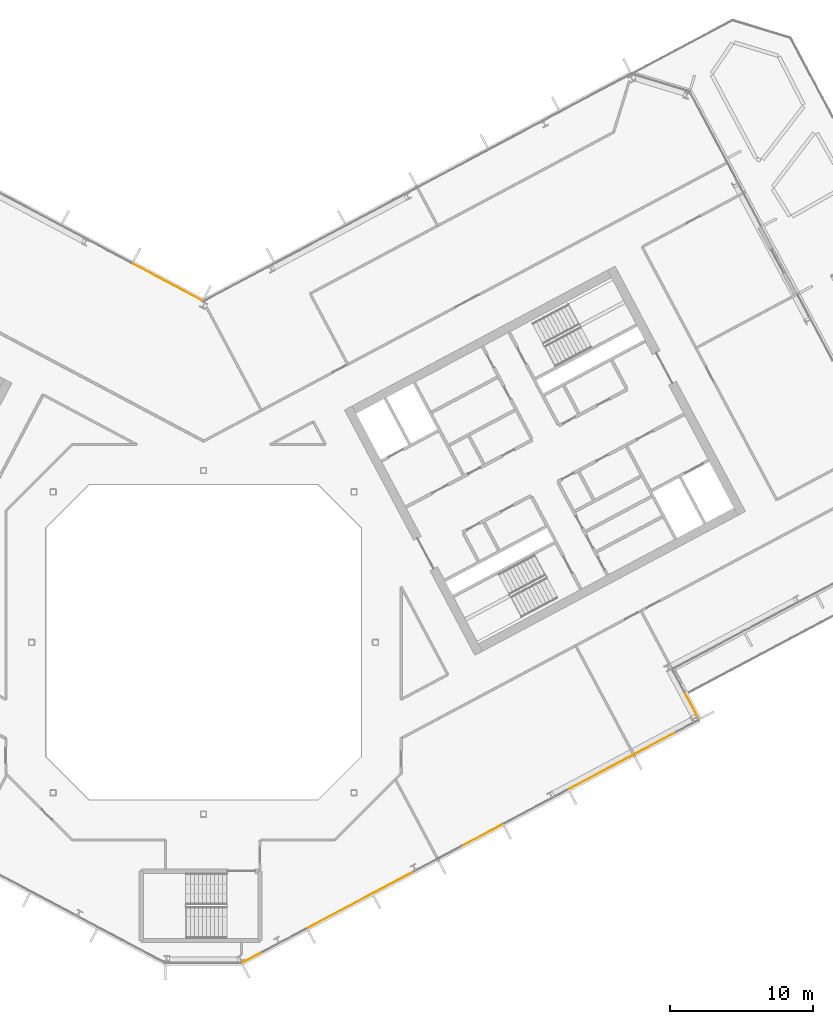
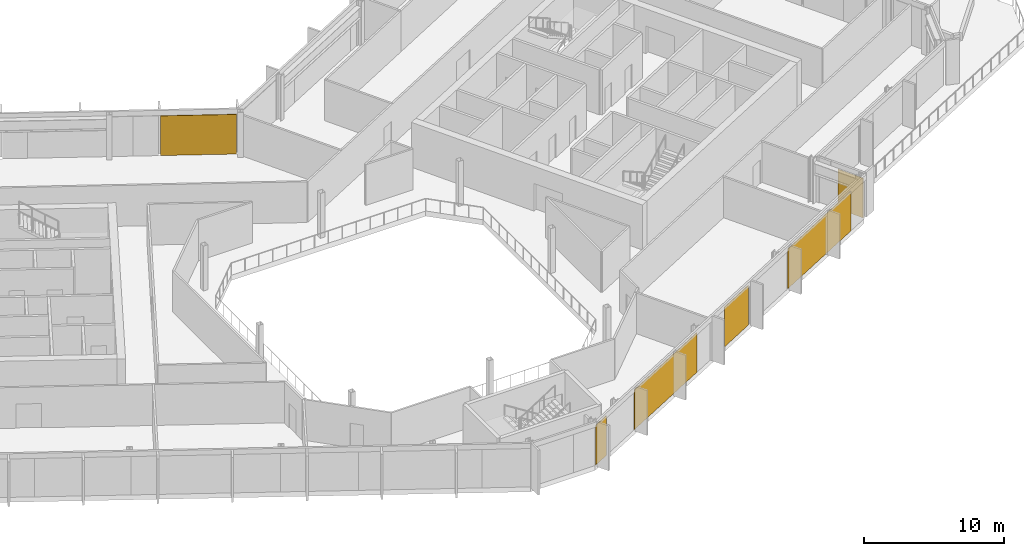
# One storey, part 27 of 31: 6 coverings, 3 elements without a shape of their own.
"""IFC4 building model written with IfcOpenShell, lengths in metres."""

from ifc_helpers import new_model, si_unit, direction, frame, origin, origin_2d, place, context, subcontext, project, spatial, rectangle, extrude, material, layer, layer_set, type_object, element, aggregate, save


model = new_model("IFC4")

# Units and contexts
model_context = context("Model", 3, precision=1e-05, world=origin(), true_north=direction((0.0, 1.0)))
body_context = subcontext(model_context, "Body", "Model", "MODEL_VIEW")
ifc_project = project(units=[si_unit("LENGTHUNIT", "METRE"), si_unit("AREAUNIT", "SQUARE_METRE"), si_unit("VOLUMEUNIT", "CUBIC_METRE"), si_unit("PLANEANGLEUNIT", "RADIAN"), si_unit("MASSUNIT", "GRAM", prefix="KILO")], contexts=[model_context])

# Site, building, storey
site_placement = place(None, origin())
site = spatial("IfcSite", under=ifc_project, at=site_placement, CompositionType="ELEMENT")
building_placement = place(site_placement, origin())
building = spatial("IfcBuilding", under=site, at=building_placement, Name="Cormorant Relay Tower", CompositionType="ELEMENT")
storey_placement = place(building_placement, frame((0.0, 0.0, 189.60009765625)))
storey = spatial("IfcBuildingStorey", under=building, at=storey_placement, Name="L40", CompositionType="ELEMENT", Elevation=189.60009765625)

# Curtain wall, coverings
ifc_material_1 = material(Name="Aluminium 6063-T6 anodised bronze", Category="aluminium")
ifc_layer_1 = layer(ifc_material_1, 0.199951171875)
ifc_layer_set_1 = layer_set([ifc_layer_1], Name="CW1 unitised bronze curtain wall with vertical fins")
curtain_wall_type = type_object("IfcCurtainWallType", Name="CW1 unitised bronze curtain wall with vertical fins", PredefinedType="NOTDEFINED", material=ifc_layer_set_1)
curtain_wall_1_placement = place(storey_placement, origin())
curtain_wall_1 = element("IfcCurtainWall", 1, at=curtain_wall_1_placement, inside=storey, type_object=curtain_wall_type, Name="CW1 curtain wall 2", PredefinedType="NOTDEFINED")
ifc_material_2 = material(Name="Pale bronze anodised aluminium insulated panel", Category="aluminium")
ifc_layer_2 = layer(ifc_material_2, 0.0400390625)
ifc_layer_set_2 = layer_set([ifc_layer_2], Name="CW1 pale bronze insulated panel 40")
covering_type = type_object("IfcCoveringType", Name="CW1 pale bronze insulated panel 40", PredefinedType="CLADDING", material=ifc_layer_set_2)
covering_1_placement = place(storey_placement, frame((3.349853515625, -22.025390625, 0.0), z_axis=(0.0, 0.0, 1.0), x_axis=(0.882947592859, 0.469471562786, 0.0)))
covering_1 = element("IfcCovering", 2, at=covering_1_placement, type_object=covering_type, Name="CW1 panel S00", PredefinedType="CLADDING", context=body_context, shape_type="SweptSolid", body=[
    extrude(rectangle(XDim=1.41650390625, YDim=0.0400390625, at=origin_2d()), origin(), (0.0, 0.0, 1.0), 3.449951171875),
])
covering_2_placement = place(storey_placement, frame((10.9873046875, -17.964599609375, 0.0), z_axis=(0.0, 0.0, 1.0), x_axis=(0.882947592859, 0.469471562786, 0.0)))
covering_2 = element("IfcCovering", 3, at=covering_2_placement, type_object=covering_type, Name="CW1 panel S02", PredefinedType="CLADDING", context=body_context, shape_type="SweptSolid", body=[
    extrude(rectangle(XDim=8.383056640625, YDim=0.0400390625, at=origin_2d()), origin(), (0.0, 0.0, 1.0), 3.449951171875),
])
covering_3_placement = place(storey_placement, frame((19.419189453125, -13.481201171875, 0.0), z_axis=(0.0, 0.0, 1.0), x_axis=(0.882947592859, 0.469471562786, 0.0)))
covering_3 = element("IfcCovering", 4, at=covering_3_placement, type_object=covering_type, Name="CW1 panel S05", PredefinedType="CLADDING", context=body_context, shape_type="SweptSolid", body=[
    extrude(rectangle(XDim=3.216552734375, YDim=0.0400390625, at=origin_2d()), origin(), (0.0, 0.0, 1.0), 3.449951171875),
])
covering_4_placement = place(storey_placement, frame((29.267578125, -8.244873046875, 0.0), z_axis=(0.0, 0.0, 1.0), x_axis=(0.882947592859, 0.469471562786, 0.0)))
covering_4 = element("IfcCovering", 5, at=covering_4_placement, type_object=covering_type, Name="CW1 panel S07", PredefinedType="CLADDING", context=body_context, shape_type="SweptSolid", body=[
    extrude(rectangle(XDim=8.4580078125, YDim=0.0400390625, at=origin_2d()), origin(), (0.0, 0.0, 1.0), 3.449951171875),
])
aggregate(curtain_wall_1, [covering_1, covering_2, covering_3, covering_4])

# Curtain wall, covering
curtain_wall_2_placement = place(storey_placement, origin())
curtain_wall_2 = element("IfcCurtainWall", 6, at=curtain_wall_2_placement, inside=storey, type_object=curtain_wall_type, Name="CW1 curtain wall 3", PredefinedType="NOTDEFINED")
covering_5_placement = place(storey_placement, frame((34.065185546875, -4.383056640625, 0.0), z_axis=(0.0, 0.0, 1.0), x_axis=(-0.469471562786, 0.882947592859, 0.0)))
covering_5 = element("IfcCovering", 7, at=covering_5_placement, type_object=covering_type, Name="CW1 panel S00", PredefinedType="CLADDING", context=body_context, shape_type="SweptSolid", body=[
    extrude(rectangle(XDim=2.125, YDim=0.0400390625, at=origin_2d()), origin(), (0.0, 0.0, 1.0), 3.449951171875),
])
aggregate(curtain_wall_2, [covering_5])

curtain_wall_3_placement = place(storey_placement, origin())
curtain_wall_3 = element("IfcCurtainWall", 8, at=curtain_wall_3_placement, inside=storey, type_object=curtain_wall_type, Name="CW1 curtain wall 9", PredefinedType="NOTDEFINED")
covering_6_placement = place(storey_placement, frame((-2.51318359375, 25.142822265625, 0.0), z_axis=(0.0, 0.0, 1.0), x_axis=(-0.882947592859, 0.469471562786, 0.0)))
covering_6 = element("IfcCovering", 9, at=covering_6_placement, type_object=covering_type, Name="CW1 panel S00", PredefinedType="CLADDING", context=body_context, shape_type="SweptSolid", body=[
    extrude(rectangle(XDim=5.4140625, YDim=0.0400390625, at=origin_2d()), origin(), (0.0, 0.0, 1.0), 3.449951171875),
])
aggregate(curtain_wall_3, [covering_6])

save(model, "model.ifc")
